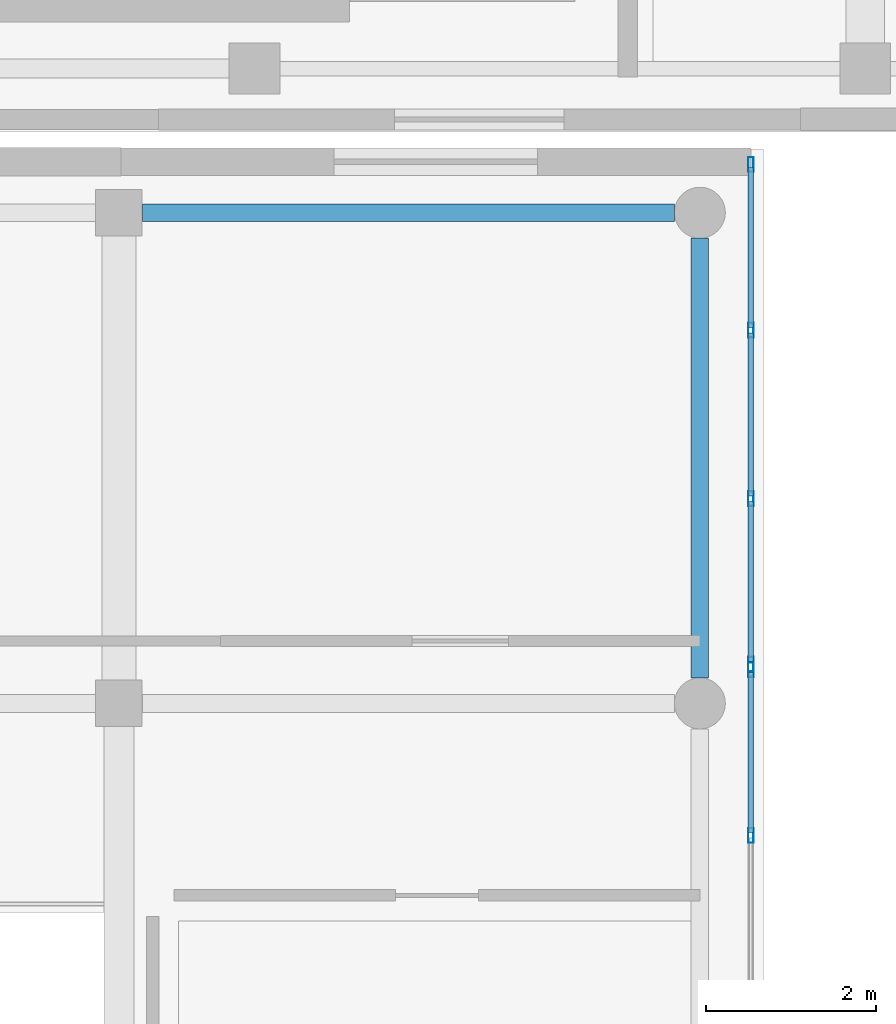
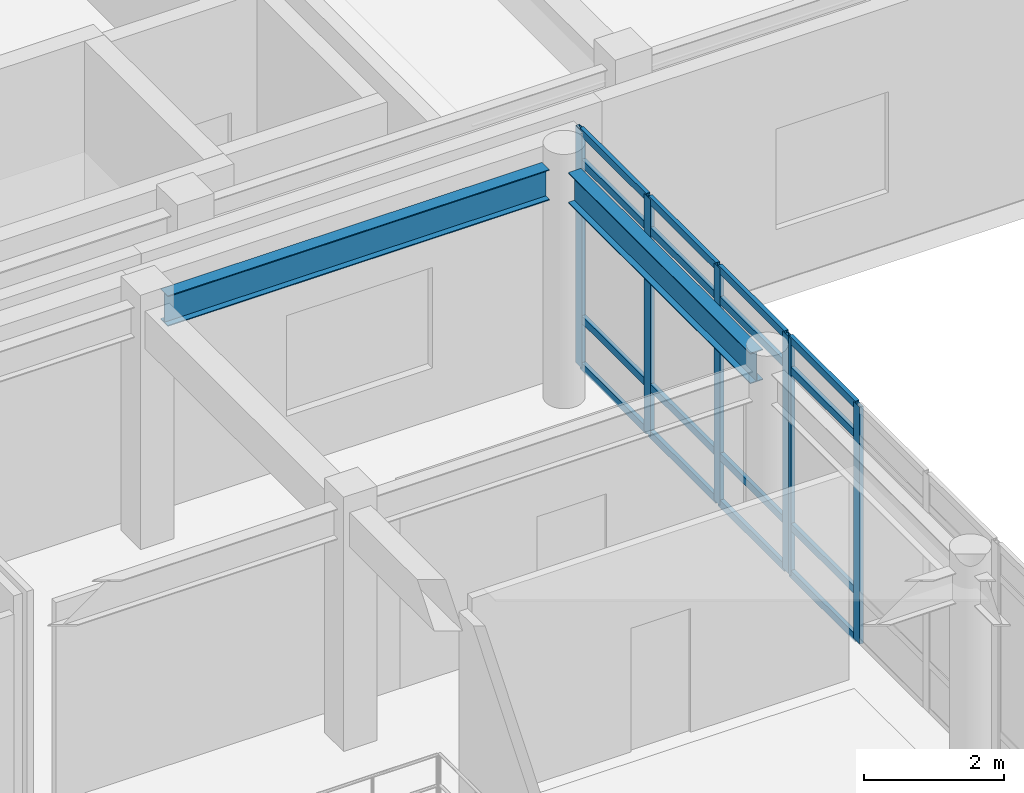
# One storey, part 62 of 142: 22 members, 2 beams, 2 elements without a shape of their own.
"""IFC4 building model written with IfcOpenShell, lengths in metres."""

from ifc_helpers import new_model, si_unit, direction, frame, origin, origin_2d, place, context, subcontext, project, spatial, hollow_rectangle, i_section, extrude, material, layer, layer_set, material_profile, profile_set, type_object, element, aggregate, save


model = new_model("IFC4")

# Units and contexts
model_context = context("Model", 3, precision=1e-05, world=origin(), true_north=direction((0.0, 1.0)))
body_context = subcontext(model_context, "Body", "Model", "MODEL_VIEW")
ifc_project = project(units=[si_unit("LENGTHUNIT", "METRE"), si_unit("AREAUNIT", "SQUARE_METRE"), si_unit("VOLUMEUNIT", "CUBIC_METRE"), si_unit("PLANEANGLEUNIT", "RADIAN"), si_unit("MASSUNIT", "GRAM", prefix="KILO")], contexts=[model_context])

# Site, building, storey
site_placement = place(None, origin())
site = spatial("IfcSite", under=ifc_project, at=site_placement, CompositionType="ELEMENT")
building_placement = place(site_placement, origin())
building = spatial("IfcBuilding", under=site, at=building_placement, Name="Valcora Specialist Clinic", CompositionType="ELEMENT")
storey_placement = place(building_placement, frame((0.0, 0.0, 5.10009765625)))
storey = spatial("IfcBuildingStorey", under=building, at=storey_placement, Name="L01", CompositionType="ELEMENT", Elevation=5.10009765625)

# Beams
ifc_material_1 = material(Name="Steel ASTM A992 Grade 50", Category="steel")
ifc_material_profile_1 = material_profile(ifc_material_1, i_section(OverallWidth=0.208984375, OverallDepth=0.532958984375, WebThickness=0.010009765625, FlangeThickness=0.01611328125, at=origin_2d()), Name="ST-IR-530X210")
ifc_profile_set_1 = profile_set([ifc_material_profile_1], Name="Steel ASTM A992 Grade 50")
beam_type = type_object("IfcBeamType", Name="TY-BM-IR530", PredefinedType="SPANDREL", material=ifc_profile_set_1)
beam_1_placement = place(storey_placement, frame((22.675048828125, 79.25, 3.849365234375), z_axis=(1.0, 0.0, 0.0), x_axis=(0.0, 1.0, 0.0)))
element("IfcBeam", 1, at=beam_1_placement, inside=storey, type_object=beam_type, Name="Beam BM-L01-0160", PredefinedType="SPANDREL", context=body_context, shape_type="SweptSolid", body=[
    extrude(i_section(OverallWidth=0.208984375, OverallDepth=0.532958984375, WebThickness=0.010009765625, FlangeThickness=0.01611328125, at=origin_2d()), origin(), (0.0, 0.0, 1.0), 6.27490234375),
])
beam_2_placement = place(storey_placement, frame((29.25, 73.763916015625, 3.849365234375), z_axis=(0.0, 1.0, 0.0), x_axis=(-1.0, 0.0, 0.0)))
element("IfcBeam", 2, at=beam_2_placement, inside=storey, type_object=beam_type, Name="Beam BM-L01-0188", PredefinedType="SPANDREL", context=body_context, shape_type="SweptSolid", body=[
    extrude(i_section(OverallWidth=0.208984375, OverallDepth=0.532958984375, WebThickness=0.010009765625, FlangeThickness=0.01611328125, at=origin_2d()), origin(), (0.0, 0.0, 1.0), 5.18603515625),
])

# Curtain wall, members
ifc_material_2 = material(Name="Anodized Bronze Aluminium 6063-T6", Category="aluminium")
ifc_layer = layer(ifc_material_2, 0.175048828125)
ifc_layer_set = layer_set([ifc_layer], Name="Anodized Bronze Aluminium 6063-T6")
curtain_wall_type = type_object("IfcCurtainWallType", Name="TY-CW-HAL18", PredefinedType="NOTDEFINED", material=ifc_layer_set)
curtain_wall_1_placement = place(storey_placement, origin())
curtain_wall_1 = element("IfcCurtainWall", 3, at=curtain_wall_1_placement, inside=storey, type_object=curtain_wall_type, Name="Curtain wall CW-L01-008", PredefinedType="NOTDEFINED")
ifc_material_profile_2 = material_profile(ifc_material_2, hollow_rectangle(XDim=0.06494140625, YDim=0.175048828125, WallThickness=0.00390625, at=origin_2d()), Name="AL-MUL-65X175")
ifc_profile_set_2 = profile_set([ifc_material_profile_2], Name="Anodized Bronze Aluminium 6063-T6")
member_type_1 = type_object("IfcMemberType", Name="TY-CWM-65X175", PredefinedType="MULLION", material=ifc_profile_set_2)
member_1_placement = place(storey_placement, frame((29.85009765625, 79.8173828125, 0.0), z_axis=(0.0, 0.0, 1.0), x_axis=(1.0, 0.0, 0.0)))
member_1 = element("IfcMember", 4, at=member_1_placement, type_object=member_type_1, Name="CW-HAL-18 mullion 1", PredefinedType="MULLION", context=body_context, shape_type="SweptSolid", body=[
    extrude(hollow_rectangle(XDim=0.06494140625, YDim=0.175048828125, WallThickness=0.00390625, at=origin_2d()), origin(), (0.0, 0.0, 1.0), 4.119873046875),
])
member_2_placement = place(storey_placement, frame((29.85009765625, 77.8642578125, 0.0), z_axis=(0.0, 0.0, 1.0), x_axis=(1.0, 0.0, 0.0)))
member_2 = element("IfcMember", 5, at=member_2_placement, type_object=member_type_1, Name="CW-HAL-18 mullion 2", PredefinedType="MULLION", context=body_context, shape_type="SweptSolid", body=[
    extrude(hollow_rectangle(XDim=0.06494140625, YDim=0.175048828125, WallThickness=0.00390625, at=origin_2d()), origin(), (0.0, 0.0, 1.0), 4.119873046875),
])
member_3_placement = place(storey_placement, frame((29.85009765625, 75.878662109375, 0.0), z_axis=(0.0, 0.0, 1.0), x_axis=(1.0, 0.0, 0.0)))
member_3 = element("IfcMember", 6, at=member_3_placement, type_object=member_type_1, Name="CW-HAL-18 mullion 3", PredefinedType="MULLION", context=body_context, shape_type="SweptSolid", body=[
    extrude(hollow_rectangle(XDim=0.06494140625, YDim=0.175048828125, WallThickness=0.00390625, at=origin_2d()), origin(), (0.0, 0.0, 1.0), 4.119873046875),
])
member_4_placement = place(storey_placement, frame((29.85009765625, 73.92529296875, 0.0), z_axis=(0.0, 0.0, 1.0), x_axis=(1.0, 0.0, 0.0)))
member_4 = element("IfcMember", 7, at=member_4_placement, type_object=member_type_1, Name="CW-HAL-18 mullion 4", PredefinedType="MULLION", context=body_context, shape_type="SweptSolid", body=[
    extrude(hollow_rectangle(XDim=0.06494140625, YDim=0.175048828125, WallThickness=0.00390625, at=origin_2d()), origin(), (0.0, 0.0, 1.0), 4.119873046875),
])

curtain_wall_2_placement = place(storey_placement, origin())
curtain_wall_2 = element("IfcCurtainWall", 8, at=curtain_wall_2_placement, inside=storey, type_object=curtain_wall_type, Name="Curtain wall CW-L01-009", PredefinedType="NOTDEFINED")
member_5_placement = place(storey_placement, frame((29.85009765625, 73.8603515625, 0.0), z_axis=(0.0, 0.0, 1.0), x_axis=(1.0, 0.0, 0.0)))
member_5 = element("IfcMember", 9, at=member_5_placement, type_object=member_type_1, Name="CW-HAL-18 mullion 1", PredefinedType="MULLION", context=body_context, shape_type="SweptSolid", body=[
    extrude(hollow_rectangle(XDim=0.06494140625, YDim=0.175048828125, WallThickness=0.00390625, at=origin_2d()), origin(), (0.0, 0.0, 1.0), 4.119873046875),
])
member_6_placement = place(storey_placement, frame((29.85009765625, 71.9072265625, 0.0), z_axis=(0.0, 0.0, 1.0), x_axis=(1.0, 0.0, 0.0)))
member_6 = element("IfcMember", 10, at=member_6_placement, type_object=member_type_1, Name="CW-HAL-18 mullion 2", PredefinedType="MULLION", context=body_context, shape_type="SweptSolid", body=[
    extrude(hollow_rectangle(XDim=0.06494140625, YDim=0.175048828125, WallThickness=0.00390625, at=origin_2d()), origin(), (0.0, 0.0, 1.0), 4.119873046875),
])

# Member
ifc_material_profile_3 = material_profile(ifc_material_2, hollow_rectangle(XDim=0.06494140625, YDim=0.1298828125, WallThickness=0.00390625, at=origin_2d()), Name="AL-TRN-65X130")
ifc_profile_set_3 = profile_set([ifc_material_profile_3], Name="Anodized Bronze Aluminium 6063-T6")
member_type_2 = type_object("IfcMemberType", Name="TY-CWT-65X130", PredefinedType="USERDEFINED", material=ifc_profile_set_3)
member_7_placement = place(storey_placement, frame((29.85009765625, 79.784912109375, 0.032470703125), z_axis=(0.0, -1.0, 0.0), x_axis=(1.0, 0.0, 0.0)))
member_7 = element("IfcMember", 11, at=member_7_placement, type_object=member_type_2, Name="CW-HAL-18 transom 1.1", ObjectType="TRANSOM", PredefinedType="USERDEFINED", context=body_context, shape_type="SweptSolid", body=[
    extrude(hollow_rectangle(XDim=0.06494140625, YDim=0.1298828125, WallThickness=0.00390625, at=origin_2d()), origin(), (0.0, 0.0, 1.0), 1.88818359375),
])

member_8_placement = place(storey_placement, frame((29.85009765625, 79.784912109375, 0.849853515625), z_axis=(0.0, -1.0, 0.0), x_axis=(1.0, 0.0, 0.0)))
member_8 = element("IfcMember", 12, at=member_8_placement, type_object=member_type_2, Name="CW-HAL-18 transom 1.2", ObjectType="TRANSOM", PredefinedType="USERDEFINED", context=body_context, shape_type="SweptSolid", body=[
    extrude(hollow_rectangle(XDim=0.06494140625, YDim=0.1298828125, WallThickness=0.00390625, at=origin_2d()), origin(), (0.0, 0.0, 1.0), 1.88818359375),
])

member_9_placement = place(storey_placement, frame((29.85009765625, 79.784912109375, 3.56982421875), z_axis=(0.0, -1.0, 0.0), x_axis=(1.0, 0.0, 0.0)))
member_9 = element("IfcMember", 13, at=member_9_placement, type_object=member_type_2, Name="CW-HAL-18 transom 1.3", ObjectType="TRANSOM", PredefinedType="USERDEFINED", context=body_context, shape_type="SweptSolid", body=[
    extrude(hollow_rectangle(XDim=0.06494140625, YDim=0.1298828125, WallThickness=0.00390625, at=origin_2d()), origin(), (0.0, 0.0, 1.0), 1.88818359375),
])

member_10_placement = place(storey_placement, frame((29.85009765625, 79.784912109375, 4.08740234375), z_axis=(0.0, -1.0, 0.0), x_axis=(1.0, 0.0, 0.0)))
member_10 = element("IfcMember", 14, at=member_10_placement, type_object=member_type_2, Name="CW-HAL-18 transom 1.4", ObjectType="TRANSOM", PredefinedType="USERDEFINED", context=body_context, shape_type="SweptSolid", body=[
    extrude(hollow_rectangle(XDim=0.06494140625, YDim=0.1298828125, WallThickness=0.00390625, at=origin_2d()), origin(), (0.0, 0.0, 1.0), 1.88818359375),
])

member_11_placement = place(storey_placement, frame((29.85009765625, 77.831787109375, 0.032470703125), z_axis=(0.0, -1.0, 0.0), x_axis=(1.0, 0.0, 0.0)))
member_11 = element("IfcMember", 15, at=member_11_placement, type_object=member_type_2, Name="CW-HAL-18 transom 2.1", ObjectType="TRANSOM", PredefinedType="USERDEFINED", context=body_context, shape_type="SweptSolid", body=[
    extrude(hollow_rectangle(XDim=0.06494140625, YDim=0.1298828125, WallThickness=0.00390625, at=origin_2d()), origin(), (0.0, 0.0, 1.0), 1.920654296875),
])

member_12_placement = place(storey_placement, frame((29.85009765625, 77.831787109375, 0.849853515625), z_axis=(0.0, -1.0, 0.0), x_axis=(1.0, 0.0, 0.0)))
member_12 = element("IfcMember", 16, at=member_12_placement, type_object=member_type_2, Name="CW-HAL-18 transom 2.2", ObjectType="TRANSOM", PredefinedType="USERDEFINED", context=body_context, shape_type="SweptSolid", body=[
    extrude(hollow_rectangle(XDim=0.06494140625, YDim=0.1298828125, WallThickness=0.00390625, at=origin_2d()), origin(), (0.0, 0.0, 1.0), 1.920654296875),
])

member_13_placement = place(storey_placement, frame((29.85009765625, 77.831787109375, 3.56982421875), z_axis=(0.0, -1.0, 0.0), x_axis=(1.0, 0.0, 0.0)))
member_13 = element("IfcMember", 17, at=member_13_placement, type_object=member_type_2, Name="CW-HAL-18 transom 2.3", ObjectType="TRANSOM", PredefinedType="USERDEFINED", context=body_context, shape_type="SweptSolid", body=[
    extrude(hollow_rectangle(XDim=0.06494140625, YDim=0.1298828125, WallThickness=0.00390625, at=origin_2d()), origin(), (0.0, 0.0, 1.0), 1.920654296875),
])

member_14_placement = place(storey_placement, frame((29.85009765625, 77.831787109375, 4.08740234375), z_axis=(0.0, -1.0, 0.0), x_axis=(1.0, 0.0, 0.0)))
member_14 = element("IfcMember", 18, at=member_14_placement, type_object=member_type_2, Name="CW-HAL-18 transom 2.4", ObjectType="TRANSOM", PredefinedType="USERDEFINED", context=body_context, shape_type="SweptSolid", body=[
    extrude(hollow_rectangle(XDim=0.06494140625, YDim=0.1298828125, WallThickness=0.00390625, at=origin_2d()), origin(), (0.0, 0.0, 1.0), 1.920654296875),
])

member_15_placement = place(storey_placement, frame((29.85009765625, 75.84619140625, 0.032470703125), z_axis=(0.0, -1.0, 0.0), x_axis=(1.0, 0.0, 0.0)))
member_15 = element("IfcMember", 19, at=member_15_placement, type_object=member_type_2, Name="CW-HAL-18 transom 3.1", ObjectType="TRANSOM", PredefinedType="USERDEFINED", context=body_context, shape_type="SweptSolid", body=[
    extrude(hollow_rectangle(XDim=0.06494140625, YDim=0.1298828125, WallThickness=0.00390625, at=origin_2d()), origin(), (0.0, 0.0, 1.0), 1.88818359375),
])

member_16_placement = place(storey_placement, frame((29.85009765625, 75.84619140625, 0.849853515625), z_axis=(0.0, -1.0, 0.0), x_axis=(1.0, 0.0, 0.0)))
member_16 = element("IfcMember", 20, at=member_16_placement, type_object=member_type_2, Name="CW-HAL-18 transom 3.2", ObjectType="TRANSOM", PredefinedType="USERDEFINED", context=body_context, shape_type="SweptSolid", body=[
    extrude(hollow_rectangle(XDim=0.06494140625, YDim=0.1298828125, WallThickness=0.00390625, at=origin_2d()), origin(), (0.0, 0.0, 1.0), 1.88818359375),
])

member_17_placement = place(storey_placement, frame((29.85009765625, 75.84619140625, 3.56982421875), z_axis=(0.0, -1.0, 0.0), x_axis=(1.0, 0.0, 0.0)))
member_17 = element("IfcMember", 21, at=member_17_placement, type_object=member_type_2, Name="CW-HAL-18 transom 3.3", ObjectType="TRANSOM", PredefinedType="USERDEFINED", context=body_context, shape_type="SweptSolid", body=[
    extrude(hollow_rectangle(XDim=0.06494140625, YDim=0.1298828125, WallThickness=0.00390625, at=origin_2d()), origin(), (0.0, 0.0, 1.0), 1.88818359375),
])

member_18_placement = place(storey_placement, frame((29.85009765625, 75.84619140625, 4.08740234375), z_axis=(0.0, -1.0, 0.0), x_axis=(1.0, 0.0, 0.0)))
member_18 = element("IfcMember", 22, at=member_18_placement, type_object=member_type_2, Name="CW-HAL-18 transom 3.4", ObjectType="TRANSOM", PredefinedType="USERDEFINED", context=body_context, shape_type="SweptSolid", body=[
    extrude(hollow_rectangle(XDim=0.06494140625, YDim=0.1298828125, WallThickness=0.00390625, at=origin_2d()), origin(), (0.0, 0.0, 1.0), 1.88818359375),
])

aggregate(curtain_wall_1, [member_1, member_2, member_3, member_4, member_7, member_8, member_9, member_10, member_11, member_12, member_13, member_14, member_15, member_16, member_17, member_18])

member_19_placement = place(storey_placement, frame((29.85009765625, 73.827880859375, 0.032470703125), z_axis=(0.0, -1.0, 0.0), x_axis=(1.0, 0.0, 0.0)))
member_19 = element("IfcMember", 23, at=member_19_placement, type_object=member_type_2, Name="CW-HAL-18 transom 1.1", ObjectType="TRANSOM", PredefinedType="USERDEFINED", context=body_context, shape_type="SweptSolid", body=[
    extrude(hollow_rectangle(XDim=0.06494140625, YDim=0.1298828125, WallThickness=0.00390625, at=origin_2d()), origin(), (0.0, 0.0, 1.0), 1.88818359375),
])

member_20_placement = place(storey_placement, frame((29.85009765625, 73.827880859375, 0.849853515625), z_axis=(0.0, -1.0, 0.0), x_axis=(1.0, 0.0, 0.0)))
member_20 = element("IfcMember", 24, at=member_20_placement, type_object=member_type_2, Name="CW-HAL-18 transom 1.2", ObjectType="TRANSOM", PredefinedType="USERDEFINED", context=body_context, shape_type="SweptSolid", body=[
    extrude(hollow_rectangle(XDim=0.06494140625, YDim=0.1298828125, WallThickness=0.00390625, at=origin_2d()), origin(), (0.0, 0.0, 1.0), 1.88818359375),
])

member_21_placement = place(storey_placement, frame((29.85009765625, 73.827880859375, 3.56982421875), z_axis=(0.0, -1.0, 0.0), x_axis=(1.0, 0.0, 0.0)))
member_21 = element("IfcMember", 25, at=member_21_placement, type_object=member_type_2, Name="CW-HAL-18 transom 1.3", ObjectType="TRANSOM", PredefinedType="USERDEFINED", context=body_context, shape_type="SweptSolid", body=[
    extrude(hollow_rectangle(XDim=0.06494140625, YDim=0.1298828125, WallThickness=0.00390625, at=origin_2d()), origin(), (0.0, 0.0, 1.0), 1.88818359375),
])

member_22_placement = place(storey_placement, frame((29.85009765625, 73.827880859375, 4.08740234375), z_axis=(0.0, -1.0, 0.0), x_axis=(1.0, 0.0, 0.0)))
member_22 = element("IfcMember", 26, at=member_22_placement, type_object=member_type_2, Name="CW-HAL-18 transom 1.4", ObjectType="TRANSOM", PredefinedType="USERDEFINED", context=body_context, shape_type="SweptSolid", body=[
    extrude(hollow_rectangle(XDim=0.06494140625, YDim=0.1298828125, WallThickness=0.00390625, at=origin_2d()), origin(), (0.0, 0.0, 1.0), 1.88818359375),
])

aggregate(curtain_wall_2, [member_5, member_6, member_19, member_20, member_21, member_22])

save(model, "model.ifc")
